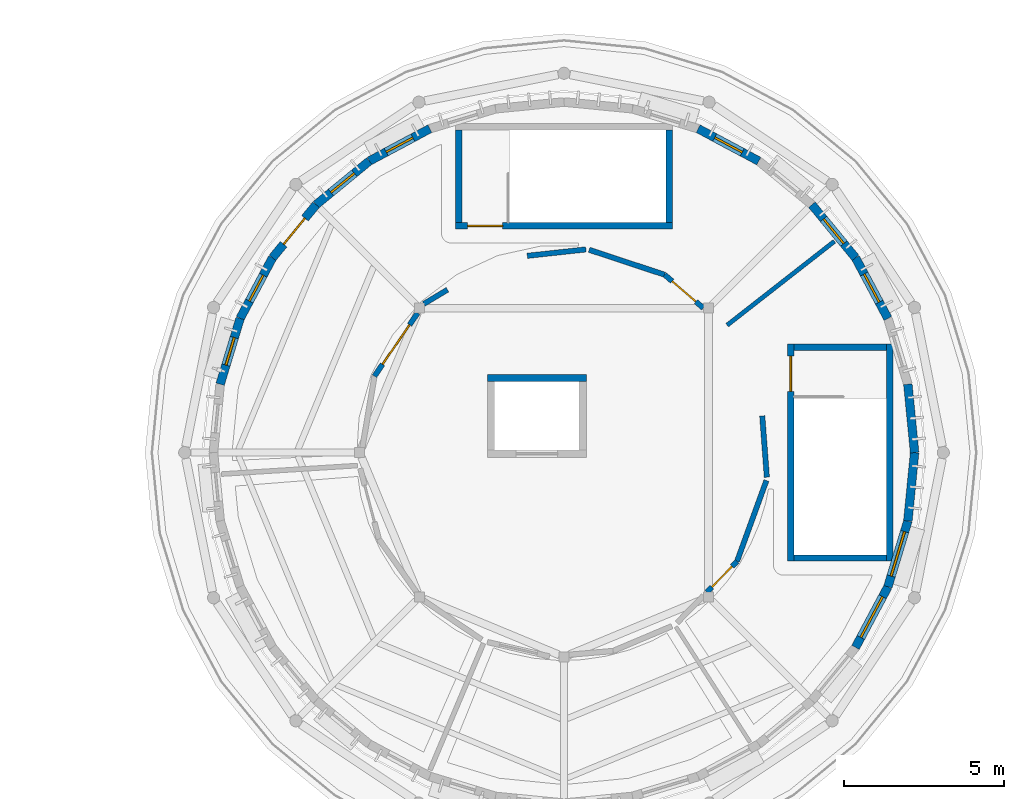
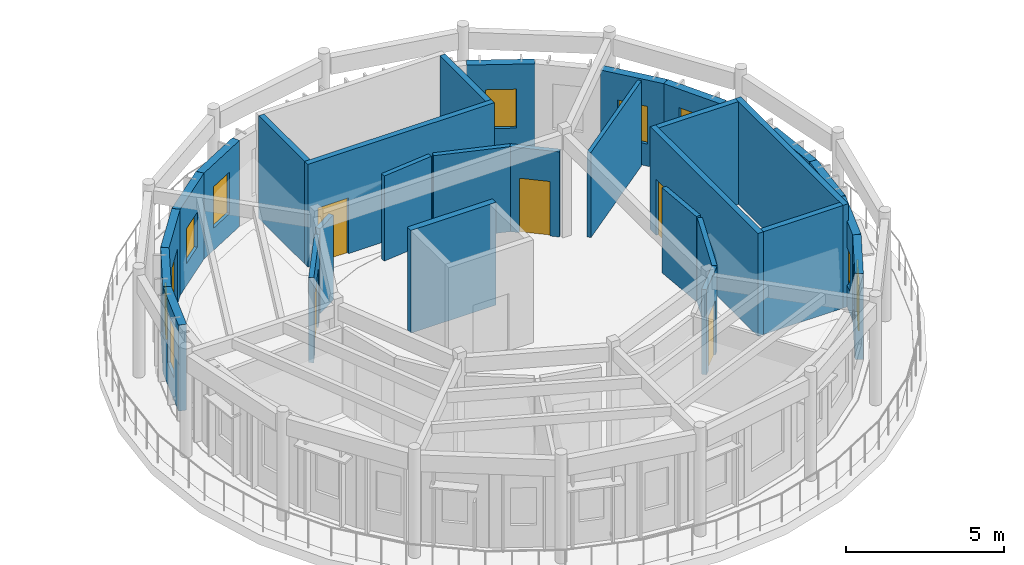
# One storey, part 25 of 37: 29 walls, 9 windows, 6 doors, 15 openings.
"""IFC4 building model written with IfcOpenShell, lengths in metres."""

from ifc_helpers import new_model, si_unit, direction, frame, frame_2d, origin, place, context, subcontext, project, spatial, rectangle, extrude, material, layer, layer_set, type_object, element, fill, save


model = new_model("IFC4")

# Units and contexts
model_context = context("Model", 3, precision=1e-05, world=origin(), true_north=direction((0.0, 1.0)))
body_context = subcontext(model_context, "Body", "Model", "MODEL_VIEW")
ifc_project = project(units=[si_unit("LENGTHUNIT", "METRE"), si_unit("AREAUNIT", "SQUARE_METRE"), si_unit("VOLUMEUNIT", "CUBIC_METRE"), si_unit("PLANEANGLEUNIT", "RADIAN"), si_unit("MASSUNIT", "GRAM", prefix="KILO")], contexts=[model_context])

# Site, building, storey
site_placement = place(None, origin())
site = spatial("IfcSite", under=ifc_project, at=site_placement, CompositionType="ELEMENT")
building_placement = place(site_placement, origin())
building = spatial("IfcBuilding", under=site, at=building_placement, Name="Aldenvaro Health Centre", CompositionType="ELEMENT")
storey_placement = place(building_placement, frame((0.0, 0.0, 12.949951171875)))
storey = spatial("IfcBuildingStorey", under=building, at=storey_placement, Name="L03", CompositionType="ELEMENT", Elevation=12.949951171875)

# Walls
ifc_material_1 = material(Name="Gypsum Stud Acoustic Assembly")
ifc_layer_1 = layer(ifc_material_1, 0.1650390625, Name="Gypsum Stud Acoustic Assembly")
ifc_layer_set_1 = layer_set([ifc_layer_1], Name="Gypsum Stud Acoustic Assembly")
wall_type_1 = type_object("IfcWallType", Name="WL-COR-165", PredefinedType="PARTITIONING", material=ifc_layer_set_1)
wall_1_placement = place(storey_placement, frame((155.18603515625, 105.863037109375, 0.0), z_axis=(0.0, 0.0, 1.0), x_axis=(-0.994121595033, -0.108269359885, 0.0)))
element("IfcWall", 1, at=wall_1_placement, inside=storey, type_object=wall_type_1, Name="D2 L03 corridor wall 01.1", PredefinedType="PARTITIONING", context=body_context, shape_type="SweptSolid", body=[
    extrude(rectangle(XDim=1.8466796875, YDim=0.1650390625, at=frame_2d((0.92333984375, 0.0))), origin(), (0.0, 0.0, 1.0), 3.279052734375),
])
wall_2_placement = place(storey_placement, frame((150.85009765625, 104.60107421875, 0.0), z_axis=(0.0, 0.0, 1.0), x_axis=(-0.857642888026, -0.514245735635, 0.0)))
element("IfcWall", 2, at=wall_2_placement, inside=storey, type_object=wall_type_1, Name="D2 L03 corridor wall 01.2", PredefinedType="PARTITIONING", context=body_context, shape_type="SweptSolid", body=[
    extrude(rectangle(XDim=0.861572265625, YDim=0.1650390625, at=frame_2d((0.4306640625, 0.0))), origin(), (0.0, 0.0, 1.0), 3.279052734375),
])

# Wall, opening, door
wall_3_placement = place(storey_placement, frame((149.9169921875, 103.873046875, 0.0), z_axis=(0.0, 0.0, 1.0), x_axis=(-0.564493885853, -0.825437249483, 0.0)))
wall_3 = element("IfcWall", 3, at=wall_3_placement, inside=storey, type_object=wall_type_1, Name="D2 L03 corridor wall 01.3", PredefinedType="PARTITIONING", context=body_context, shape_type="SweptSolid", body=[
    extrude(rectangle(XDim=2.395263671875, YDim=0.1650390625, at=frame_2d((1.19775390625, 0.0))), origin(), (0.0, 0.0, 1.0), 3.279052734375),
])
opening_1_placement = place(wall_3_placement, frame((0.447998046875, 0.0, 0.0)))
opening_1 = element("IfcOpeningElement", 4, at=opening_1_placement, cuts=wall_3, Name="Opening SD-01", PredefinedType="OPENING", context=body_context, shape_type="SweptSolid", body=[
    extrude(rectangle(XDim=1.5, YDim=2.300048828125, at=frame_2d((0.75, 1.14990234375))), frame((0.0, 0.092529296875, 0.0), z_axis=(0.0, -1.0, 0.0), x_axis=(1.0, 0.0, 0.0)), (0.0, 0.0, 1.0), 0.18505859375),
])
ifc_material_2 = material(Name="Hygienic Hermetic Theatre Door")
door_type_1 = type_object("IfcDoorType", Name="DR-SRG-150", OperationType="NOTDEFINED", PredefinedType="DOOR", material=ifc_material_2)
door_1_placement = place(opening_1_placement, origin())
door_1 = element("IfcDoor", 5, at=door_1_placement, inside=storey, type_object=door_type_1, Name="Phase 2 Step-Down Recovery Lounge Door", OperationType="SINGLE_SWING_LEFT", OverallHeight=2.300048828125, OverallWidth=1.5, PredefinedType="DOOR", context=body_context, shape_type="SweptSolid", body=[
    extrude(rectangle(XDim=1.5, YDim=2.300048828125, at=frame_2d((0.75, 1.14990234375))), frame((0.0, 0.02490234375, 0.0), z_axis=(0.0, -1.0, 0.0), x_axis=(1.0, 0.0, 0.0)), (0.0, 0.0, 1.0), 0.050048828125),
])
fill(opening_1, door_1)

wall_4_placement = place(storey_placement, frame((158.97802734375, 95.131103515625, 0.0), z_axis=(0.0, 0.0, 1.0), x_axis=(0.698536724788, 0.715574205881, 0.0)))
wall_4 = element("IfcWall", 6, at=wall_4_placement, inside=storey, type_object=wall_type_1, Name="D2 L03 corridor wall 04.2", PredefinedType="PARTITIONING", context=body_context, shape_type="SweptSolid", body=[
    extrude(rectangle(XDim=1.346923828125, YDim=0.1650390625, at=frame_2d((0.67333984375, 0.0))), origin(), (0.0, 0.0, 1.0), 3.279052734375),
])
opening_2_placement = place(wall_4_placement, frame((0.222900390625, 0.0, 0.0)))
opening_2 = element("IfcOpeningElement", 7, at=opening_2_placement, cuts=wall_4, Name="Opening WD-01", PredefinedType="OPENING", context=body_context, shape_type="SweptSolid", body=[
    extrude(rectangle(XDim=0.89990234375, YDim=2.10009765625, at=frame_2d((0.449951171875, 1.050048828125))), frame((0.0, 0.092529296875, 0.0), z_axis=(0.0, -1.0, 0.0), x_axis=(1.0, 0.0, 0.0)), (0.0, 0.0, 1.0), 0.18505859375),
])
ifc_material_3 = material(Name="Moisture-Resistant Laminate Door")
door_type_2 = type_object("IfcDoorType", Name="DR-WC-01", OperationType="NOTDEFINED", PredefinedType="DOOR", material=ifc_material_3)
door_2_placement = place(opening_2_placement, origin())
door_2 = element("IfcDoor", 8, at=door_2_placement, inside=storey, type_object=door_type_2, Name="Recovery Linen Store Door", OperationType="SINGLE_SWING_RIGHT", OverallHeight=2.10009765625, OverallWidth=0.89990234375, PredefinedType="DOOR", context=body_context, shape_type="SweptSolid", body=[
    extrude(rectangle(XDim=0.89990234375, YDim=2.10009765625, at=frame_2d((0.449951171875, 1.050048828125))), frame((0.0, 0.02490234375, 0.0), z_axis=(0.0, -1.0, 0.0), x_axis=(1.0, 0.0, 0.0)), (0.0, 0.0, 1.0), 0.050048828125),
])
fill(opening_2, door_2)

# Walls
wall_5_placement = place(storey_placement, frame((159.9189453125, 96.094970703125, 0.0), z_axis=(0.0, 0.0, 1.0), x_axis=(0.341997778508, 0.939700760612, 0.0)))
element("IfcWall", 9, at=wall_5_placement, inside=storey, type_object=wall_type_1, Name="D2 L03 corridor wall 04.3", PredefinedType="PARTITIONING", context=body_context, shape_type="SweptSolid", body=[
    extrude(rectangle(XDim=2.693359375, YDim=0.1650390625, at=frame_2d((1.3466796875, 0.0))), origin(), (0.0, 0.0, 1.0), 3.279052734375),
])
wall_6_placement = place(storey_placement, frame((160.85302734375, 98.72900390625, 0.0), z_axis=(0.0, 0.0, 1.0), x_axis=(-0.074777345003, 0.997200255051, 0.0)))
element("IfcWall", 10, at=wall_6_placement, inside=storey, type_object=wall_type_1, Name="D2 L03 corridor wall 05.1", PredefinedType="PARTITIONING", context=body_context, shape_type="SweptSolid", body=[
    extrude(rectangle(XDim=1.92626953125, YDim=0.1650390625, at=frame_2d((0.963134765625, 0.0))), origin(), (0.0, 0.0, 1.0), 3.279052734375),
])

# Wall, opening, door
wall_7_placement = place(storey_placement, frame((158.863037109375, 104.028076171875, 0.0), z_axis=(0.0, 0.0, 1.0), x_axis=(-0.758003845194, 0.652250082921, 0.0)))
wall_7 = element("IfcWall", 11, at=wall_7_placement, inside=storey, type_object=wall_type_1, Name="D2 L03 corridor wall 06.1", PredefinedType="PARTITIONING", context=body_context, shape_type="SweptSolid", body=[
    extrude(rectangle(XDim=1.59765625, YDim=0.1650390625, at=frame_2d((0.798828125, 0.0))), origin(), (0.0, 0.0, 1.0), 3.279052734375),
])
opening_3_placement = place(wall_7_placement, frame((0.30908203125, 0.0, 0.0)))
opening_3 = element("IfcOpeningElement", 12, at=opening_3_placement, cuts=wall_7, Name="Opening WD-03", PredefinedType="OPENING", context=body_context, shape_type="SweptSolid", body=[
    extrude(rectangle(XDim=0.97998046875, YDim=2.10009765625, at=frame_2d((0.489990234375, 1.050048828125))), frame((0.0, 0.092529296875, 0.0), z_axis=(0.0, -1.0, 0.0), x_axis=(1.0, 0.0, 0.0)), (0.0, 0.0, 1.0), 0.18505859375),
])
ifc_material_4 = material(Name="Bariatric Accessible Sanitary Door")
door_type_3 = type_object("IfcDoorType", Name="DR-WC-03", OperationType="NOTDEFINED", PredefinedType="DOOR", material=ifc_material_4)
door_3_placement = place(opening_3_placement, origin())
door_3 = element("IfcDoor", 13, at=door_3_placement, inside=storey, type_object=door_type_3, Name="Female Recovery WC Door", OperationType="SINGLE_SWING_LEFT", OverallHeight=2.10009765625, OverallWidth=0.97998046875, PredefinedType="DOOR", context=body_context, shape_type="SweptSolid", body=[
    extrude(rectangle(XDim=0.97998046875, YDim=2.10009765625, at=frame_2d((0.489990234375, 1.050048828125))), frame((0.0, 0.02490234375, 0.0), z_axis=(0.0, -1.0, 0.0), x_axis=(1.0, 0.0, 0.0)), (0.0, 0.0, 1.0), 0.050048828125),
])
fill(opening_3, door_3)

# Wall
wall_8_placement = place(storey_placement, frame((157.652099609375, 105.070068359375, 0.0), z_axis=(0.0, 0.0, 1.0), x_axis=(-0.949484627373, 0.313813547161, 0.0)))
element("IfcWall", 14, at=wall_8_placement, inside=storey, type_object=wall_type_1, Name="D2 L03 corridor wall 06.2", PredefinedType="PARTITIONING", context=body_context, shape_type="SweptSolid", body=[
    extrude(rectangle(XDim=2.48876953125, YDim=0.1650390625, at=frame_2d((1.244384765625, 0.0))), origin(), (0.0, 0.0, 1.0), 3.279052734375),
])

# Wall, opening, window
ifc_material_5 = material(Name="Cross-laminated timber CLT E1", Category="wood")
ifc_layer_2 = layer(ifc_material_5, 0.27001953125, Name="Cross-laminated timber CLT E1", Category="wood")
ifc_layer_set_2 = layer_set([ifc_layer_2], Name="Cross-laminated timber CLT E1")
wall_type_2 = type_object("IfcWallType", Name="WL-EXT-270", PredefinedType="ELEMENTEDWALL", material=ifc_layer_set_2)
wall_9_placement = place(storey_placement, frame((165.26904296875, 97.35791015625, 0.0), z_axis=(0.0, 0.0, 1.0), x_axis=(-0.290353644083, -0.95691941216, 0.0)))
wall_9 = element("IfcWall", 15, at=wall_9_placement, inside=storey, type_object=wall_type_2, Name="D2 L03 exterior wall 01", PredefinedType="ELEMENTEDWALL", context=body_context, shape_type="SweptSolid", body=[
    extrude(rectangle(XDim=2.152587890625, YDim=0.27001953125, at=frame_2d((1.076171875, 0.0))), origin(), (0.0, 0.0, 1.0), 3.31396484375),
])
opening_4_placement = place(wall_9_placement, frame((0.35107421875, 0.0, 0.85009765625)))
opening_4 = element("IfcOpeningElement", 16, at=opening_4_placement, cuts=wall_9, Name="Opening W-59", PredefinedType="OPENING", context=body_context, shape_type="SweptSolid", body=[
    extrude(rectangle(XDim=1.449951171875, YDim=1.449951171875, at=frame_2d((0.72509765625, 0.72509765625))), frame((0.0, 0.14501953125, 0.0), z_axis=(0.0, -1.0, 0.0), x_axis=(1.0, 0.0, 0.0)), (0.0, 0.0, 1.0), 0.2900390625),
])
ifc_material_6 = material(Name="Thermally Broken Aluminium Low-E Glass", Category="aluminium")
window_type_1 = type_object("IfcWindowType", Name="WN-EXT-59", PartitioningType="SINGLE_PANEL", PredefinedType="WINDOW", material=ifc_material_6)
window_1_placement = place(opening_4_placement, origin())
window_1 = element("IfcWindow", 17, at=window_1_placement, inside=storey, type_object=window_type_1, Name="D2 L03 clinical window 01", OverallHeight=1.449951171875, OverallWidth=1.449951171875, PartitioningType="SINGLE_PANEL", PredefinedType="WINDOW", context=body_context, shape_type="SweptSolid", body=[
    extrude(rectangle(XDim=1.449951171875, YDim=1.449951171875, at=frame_2d((0.72509765625, 0.72509765625))), frame((0.0, 0.030029296875, 0.0), z_axis=(0.0, -1.0, 0.0), x_axis=(1.0, 0.0, 0.0)), (0.0, 0.0, 1.0), 0.06005859375),
])
fill(opening_4, window_1)

wall_10_placement = place(storey_placement, frame((164.64404296875, 95.298095703125, 0.0), z_axis=(0.0, 0.0, 1.0), x_axis=(-0.471235784617, -0.882007276215, 0.0)))
wall_10 = element("IfcWall", 18, at=wall_10_placement, inside=storey, type_object=wall_type_2, Name="D2 L03 exterior wall 02", PredefinedType="ELEMENTEDWALL", context=body_context, shape_type="SweptSolid", body=[
    extrude(rectangle(XDim=2.152099609375, YDim=0.27001953125, at=frame_2d((1.076171875, 0.0))), origin(), (0.0, 0.0, 1.0), 3.31396484375),
])
opening_5_placement = place(wall_10_placement, frame((0.35107421875, 0.0, 0.85009765625)))
opening_5 = element("IfcOpeningElement", 19, at=opening_5_placement, cuts=wall_10, Name="Opening W-60", PredefinedType="OPENING", context=body_context, shape_type="SweptSolid", body=[
    extrude(rectangle(XDim=1.449951171875, YDim=1.75, at=frame_2d((0.72509765625, 0.875))), frame((0.0, 0.14501953125, 0.0), z_axis=(0.0, -1.0, 0.0), x_axis=(1.0, 0.0, 0.0)), (0.0, 0.0, 1.0), 0.2900390625),
])
window_type_2 = type_object("IfcWindowType", Name="WN-EXT-60", PartitioningType="SINGLE_PANEL", PredefinedType="WINDOW", material=ifc_material_6)
window_2_placement = place(opening_5_placement, origin())
window_2 = element("IfcWindow", 20, at=window_2_placement, inside=storey, type_object=window_type_2, Name="D2 L03 clinical window 02", OverallHeight=1.75, OverallWidth=1.449951171875, PartitioningType="SINGLE_PANEL", PredefinedType="WINDOW", context=body_context, shape_type="SweptSolid", body=[
    extrude(rectangle(XDim=1.449951171875, YDim=1.75, at=frame_2d((0.72509765625, 0.875))), frame((0.0, 0.030029296875, 0.0), z_axis=(0.0, -1.0, 0.0), x_axis=(1.0, 0.0, 0.0)), (0.0, 0.0, 1.0), 0.06005859375),
])
fill(opening_5, window_2)

wall_11_placement = place(storey_placement, frame((143.73095703125, 101.64208984375, 0.0), z_axis=(0.0, 0.0, 1.0), x_axis=(0.290353644083, 0.95691941216, 0.0)))
wall_11 = element("IfcWall", 21, at=wall_11_placement, inside=storey, type_object=wall_type_2, Name="D2 L03 exterior wall 17", PredefinedType="ELEMENTEDWALL", context=body_context, shape_type="SweptSolid", body=[
    extrude(rectangle(XDim=2.152587890625, YDim=0.27001953125, at=frame_2d((1.076171875, 0.0))), origin(), (0.0, 0.0, 1.0), 3.31396484375),
])
opening_6_placement = place(wall_11_placement, frame((0.6259765625, 0.0, 0.85009765625)))
opening_6 = element("IfcOpeningElement", 22, at=opening_6_placement, cuts=wall_11, Name="Opening W-07", PredefinedType="OPENING", context=body_context, shape_type="SweptSolid", body=[
    extrude(rectangle(XDim=0.89990234375, YDim=1.89990234375, at=frame_2d((0.449951171875, 0.949951171875))), frame((0.0, 0.14501953125, 0.0), z_axis=(0.0, -1.0, 0.0), x_axis=(1.0, 0.0, 0.0)), (0.0, 0.0, 1.0), 0.2900390625),
])
window_type_3 = type_object("IfcWindowType", Name="WN-EXT-07", PartitioningType="SINGLE_PANEL", PredefinedType="WINDOW", material=ifc_material_6)
window_3_placement = place(opening_6_placement, origin())
window_3 = element("IfcWindow", 23, at=window_3_placement, inside=storey, type_object=window_type_3, Name="D2 L03 clinical window 17", OverallHeight=1.89990234375, OverallWidth=0.89990234375, PartitioningType="SINGLE_PANEL", PredefinedType="WINDOW", context=body_context, shape_type="SweptSolid", body=[
    extrude(rectangle(XDim=0.89990234375, YDim=1.89990234375, at=frame_2d((0.449951171875, 0.949951171875))), frame((0.0, 0.030029296875, 0.0), z_axis=(0.0, -1.0, 0.0), x_axis=(1.0, 0.0, 0.0)), (0.0, 0.0, 1.0), 0.06005859375),
])
fill(opening_6, window_3)

wall_12_placement = place(storey_placement, frame((144.35595703125, 103.701904296875, 0.0), z_axis=(0.0, 0.0, 1.0), x_axis=(0.471235784617, 0.882007276215, 0.0)))
wall_12 = element("IfcWall", 24, at=wall_12_placement, inside=storey, type_object=wall_type_2, Name="D2 L03 exterior wall 18", PredefinedType="ELEMENTEDWALL", context=body_context, shape_type="SweptSolid", body=[
    extrude(rectangle(XDim=2.152099609375, YDim=0.27001953125, at=frame_2d((1.076171875, 0.0))), origin(), (0.0, 0.0, 1.0), 3.31396484375),
])
opening_7_placement = place(wall_12_placement, frame((0.615966796875, 0.0, 0.85009765625)))
opening_7 = element("IfcOpeningElement", 25, at=opening_7_placement, cuts=wall_12, Name="Opening W-08", PredefinedType="OPENING", context=body_context, shape_type="SweptSolid", body=[
    extrude(rectangle(XDim=0.919921875, YDim=1.550048828125, at=frame_2d((0.4599609375, 0.77490234375))), frame((0.0, 0.14501953125, 0.0), z_axis=(0.0, -1.0, 0.0), x_axis=(1.0, 0.0, 0.0)), (0.0, 0.0, 1.0), 0.2900390625),
])
window_type_4 = type_object("IfcWindowType", Name="WN-EXT-08", PartitioningType="SINGLE_PANEL", PredefinedType="WINDOW", material=ifc_material_6)
window_4_placement = place(opening_7_placement, origin())
window_4 = element("IfcWindow", 26, at=window_4_placement, inside=storey, type_object=window_type_4, Name="D2 L03 clinical window 18", OverallHeight=1.550048828125, OverallWidth=0.919921875, PartitioningType="SINGLE_PANEL", PredefinedType="WINDOW", context=body_context, shape_type="SweptSolid", body=[
    extrude(rectangle(XDim=0.919921875, YDim=1.550048828125, at=frame_2d((0.4599609375, 0.77490234375))), frame((0.0, 0.030029296875, 0.0), z_axis=(0.0, -1.0, 0.0), x_axis=(1.0, 0.0, 0.0)), (0.0, 0.0, 1.0), 0.06005859375),
])
fill(opening_7, window_4)

# Wall, opening, door
wall_13_placement = place(storey_placement, frame((145.3701171875, 105.60009765625, 0.0), z_axis=(0.0, 0.0, 1.0), x_axis=(0.634533827498, 0.772895091045, 0.0)))
wall_13 = element("IfcWall", 27, at=wall_13_placement, inside=storey, type_object=wall_type_2, Name="D2 L03 exterior wall 19", PredefinedType="ELEMENTEDWALL", context=body_context, shape_type="SweptSolid", body=[
    extrude(rectangle(XDim=2.152587890625, YDim=0.27001953125, at=frame_2d((1.076171875, 0.0))), origin(), (0.0, 0.0, 1.0), 3.31396484375),
])
opening_8_placement = place(wall_13_placement, frame((0.551025390625, 0.0, 0.0)))
opening_8 = element("IfcOpeningElement", 28, at=opening_8_placement, cuts=wall_13, Name="Opening TD-02", PredefinedType="OPENING", context=body_context, shape_type="SweptSolid", body=[
    extrude(rectangle(XDim=1.050048828125, YDim=2.14990234375, at=frame_2d((0.52490234375, 1.074951171875))), frame((0.0, 0.14501953125, 0.0), z_axis=(0.0, -1.0, 0.0), x_axis=(1.0, 0.0, 0.0)), (0.0, 0.0, 1.0), 0.2900390625),
])
ifc_material_7 = material(Name="Thermally Broken Glazed Aluminium", Category="aluminium")
door_type_4 = type_object("IfcDoorType", Name="DR-TER-105", OperationType="NOTDEFINED", PredefinedType="DOOR", material=ifc_material_7)
door_4_placement = place(opening_8_placement, origin())
door_4 = element("IfcDoor", 29, at=door_4_placement, inside=storey, type_object=door_type_4, Name="D2 L03 Belvedere Terrace Door 19", OperationType="SINGLE_SWING_RIGHT", OverallHeight=2.14990234375, OverallWidth=1.050048828125, PredefinedType="DOOR", context=body_context, shape_type="SweptSolid", body=[
    extrude(rectangle(XDim=1.050048828125, YDim=2.14990234375, at=frame_2d((0.52490234375, 1.074951171875))), frame((0.0, 0.02490234375, 0.0), z_axis=(0.0, -1.0, 0.0), x_axis=(1.0, 0.0, 0.0)), (0.0, 0.0, 1.0), 0.050048828125),
])
fill(opening_8, door_4)

# Wall, opening, window
wall_14_placement = place(storey_placement, frame((146.736083984375, 107.263916015625, 0.0), z_axis=(0.0, 0.0, 1.0), x_axis=(0.772895091045, 0.634533827498, 0.0)))
wall_14 = element("IfcWall", 30, at=wall_14_placement, inside=storey, type_object=wall_type_2, Name="D2 L03 exterior wall 20", PredefinedType="ELEMENTEDWALL", context=body_context, shape_type="SweptSolid", body=[
    extrude(rectangle(XDim=2.152587890625, YDim=0.27001953125, at=frame_2d((1.076171875, 0.0))), origin(), (0.0, 0.0, 1.0), 3.31396484375),
])
opening_9_placement = place(wall_14_placement, frame((0.60107421875, 0.0, 0.85009765625)))
opening_9 = element("IfcOpeningElement", 31, at=opening_9_placement, cuts=wall_14, Name="Opening W-09", PredefinedType="OPENING", context=body_context, shape_type="SweptSolid", body=[
    extrude(rectangle(XDim=0.949951171875, YDim=1.35009765625, at=frame_2d((0.47509765625, 0.675048828125))), frame((0.0, 0.14501953125, 0.0), z_axis=(0.0, -1.0, 0.0), x_axis=(1.0, 0.0, 0.0)), (0.0, 0.0, 1.0), 0.2900390625),
])
window_type_5 = type_object("IfcWindowType", Name="WN-EXT-09", PartitioningType="SINGLE_PANEL", PredefinedType="WINDOW", material=ifc_material_6)
window_5_placement = place(opening_9_placement, origin())
window_5 = element("IfcWindow", 32, at=window_5_placement, inside=storey, type_object=window_type_5, Name="D2 L03 clinical window 20", OverallHeight=1.35009765625, OverallWidth=0.949951171875, PartitioningType="SINGLE_PANEL", PredefinedType="WINDOW", context=body_context, shape_type="SweptSolid", body=[
    extrude(rectangle(XDim=0.949951171875, YDim=1.35009765625, at=frame_2d((0.47509765625, 0.675048828125))), frame((0.0, 0.030029296875, 0.0), z_axis=(0.0, -1.0, 0.0), x_axis=(1.0, 0.0, 0.0)), (0.0, 0.0, 1.0), 0.06005859375),
])
fill(opening_9, window_5)

wall_15_placement = place(storey_placement, frame((148.39990234375, 108.6298828125, 0.0), z_axis=(0.0, 0.0, 1.0), x_axis=(0.882007276215, 0.471235784617, 0.0)))
wall_15 = element("IfcWall", 33, at=wall_15_placement, inside=storey, type_object=wall_type_2, Name="D2 L03 exterior wall 21", PredefinedType="ELEMENTEDWALL", context=body_context, shape_type="SweptSolid", body=[
    extrude(rectangle(XDim=2.152099609375, YDim=0.27001953125, at=frame_2d((1.076171875, 0.0))), origin(), (0.0, 0.0, 1.0), 3.31396484375),
])
opening_10_placement = place(wall_15_placement, frame((0.60107421875, 0.0, 0.85009765625)))
opening_10 = element("IfcOpeningElement", 34, at=opening_10_placement, cuts=wall_15, Name="Opening W-10", PredefinedType="OPENING", context=body_context, shape_type="SweptSolid", body=[
    extrude(rectangle(XDim=0.949951171875, YDim=1.60009765625, at=frame_2d((0.47509765625, 0.800048828125))), frame((0.0, 0.14501953125, 0.0), z_axis=(0.0, -1.0, 0.0), x_axis=(1.0, 0.0, 0.0)), (0.0, 0.0, 1.0), 0.2900390625),
])
window_type_6 = type_object("IfcWindowType", Name="WN-EXT-10", PartitioningType="SINGLE_PANEL", PredefinedType="WINDOW", material=ifc_material_6)
window_6_placement = place(opening_10_placement, origin())
window_6 = element("IfcWindow", 35, at=window_6_placement, inside=storey, type_object=window_type_6, Name="D2 L03 clinical window 21", OverallHeight=1.60009765625, OverallWidth=0.949951171875, PartitioningType="SINGLE_PANEL", PredefinedType="WINDOW", context=body_context, shape_type="SweptSolid", body=[
    extrude(rectangle(XDim=0.949951171875, YDim=1.60009765625, at=frame_2d((0.47509765625, 0.800048828125))), frame((0.0, 0.030029296875, 0.0), z_axis=(0.0, -1.0, 0.0), x_axis=(1.0, 0.0, 0.0)), (0.0, 0.0, 1.0), 0.06005859375),
])
fill(opening_10, window_6)

wall_16_placement = place(storey_placement, frame((158.701904296875, 109.64404296875, 0.0), z_axis=(0.0, 0.0, 1.0), x_axis=(0.882007276215, -0.471235784617, 0.0)))
wall_16 = element("IfcWall", 36, at=wall_16_placement, inside=storey, type_object=wall_type_2, Name="D2 L03 exterior wall 26", PredefinedType="ELEMENTEDWALL", context=body_context, shape_type="SweptSolid", body=[
    extrude(rectangle(XDim=2.152099609375, YDim=0.27001953125, at=frame_2d((1.076171875, 0.0))), origin(), (0.0, 0.0, 1.0), 3.31396484375),
])
opening_11_placement = place(wall_16_placement, frame((0.5859375, 0.0, 0.85009765625)))
opening_11 = element("IfcOpeningElement", 37, at=opening_11_placement, cuts=wall_16, Name="Opening W-13", PredefinedType="OPENING", context=body_context, shape_type="SweptSolid", body=[
    extrude(rectangle(XDim=0.97998046875, YDim=1.5, at=frame_2d((0.489990234375, 0.75))), frame((0.0, 0.14501953125, 0.0), z_axis=(0.0, -1.0, 0.0), x_axis=(1.0, 0.0, 0.0)), (0.0, 0.0, 1.0), 0.2900390625),
])
window_type_7 = type_object("IfcWindowType", Name="WN-EXT-13", PartitioningType="SINGLE_PANEL", PredefinedType="WINDOW", material=ifc_material_6)
window_7_placement = place(opening_11_placement, origin())
window_7 = element("IfcWindow", 38, at=window_7_placement, inside=storey, type_object=window_type_7, Name="D2 L03 clinical window 26", OverallHeight=1.5, OverallWidth=0.97998046875, PartitioningType="SINGLE_PANEL", PredefinedType="WINDOW", context=body_context, shape_type="SweptSolid", body=[
    extrude(rectangle(XDim=0.97998046875, YDim=1.5, at=frame_2d((0.489990234375, 0.75))), frame((0.0, 0.030029296875, 0.0), z_axis=(0.0, -1.0, 0.0), x_axis=(1.0, 0.0, 0.0)), (0.0, 0.0, 1.0), 0.06005859375),
])
fill(opening_11, window_7)

wall_17_placement = place(storey_placement, frame((162.263916015625, 107.263916015625, 0.0), z_axis=(0.0, 0.0, 1.0), x_axis=(0.634533827498, -0.772895091045, 0.0)))
wall_17 = element("IfcWall", 39, at=wall_17_placement, inside=storey, type_object=wall_type_2, Name="D2 L03 exterior wall 28", PredefinedType="ELEMENTEDWALL", context=body_context, shape_type="SweptSolid", body=[
    extrude(rectangle(XDim=2.152587890625, YDim=0.27001953125, at=frame_2d((1.076171875, 0.0))), origin(), (0.0, 0.0, 1.0), 3.31396484375),
])
opening_12_placement = place(wall_17_placement, frame((0.575927734375, 0.0, 0.85009765625)))
opening_12 = element("IfcOpeningElement", 40, at=opening_12_placement, cuts=wall_17, Name="Opening W-15", PredefinedType="OPENING", context=body_context, shape_type="SweptSolid", body=[
    extrude(rectangle(XDim=1.0, YDim=1.449951171875, at=frame_2d((0.5, 0.72509765625))), frame((0.0, 0.14501953125, 0.0), z_axis=(0.0, -1.0, 0.0), x_axis=(1.0, 0.0, 0.0)), (0.0, 0.0, 1.0), 0.2900390625),
])
window_type_8 = type_object("IfcWindowType", Name="WN-EXT-15", PartitioningType="SINGLE_PANEL", PredefinedType="WINDOW", material=ifc_material_6)
window_8_placement = place(opening_12_placement, origin())
window_8 = element("IfcWindow", 41, at=window_8_placement, inside=storey, type_object=window_type_8, Name="D2 L03 clinical window 28", OverallHeight=1.449951171875, OverallWidth=1.0, PartitioningType="SINGLE_PANEL", PredefinedType="WINDOW", context=body_context, shape_type="SweptSolid", body=[
    extrude(rectangle(XDim=1.0, YDim=1.449951171875, at=frame_2d((0.5, 0.72509765625))), frame((0.0, 0.030029296875, 0.0), z_axis=(0.0, -1.0, 0.0), x_axis=(1.0, 0.0, 0.0)), (0.0, 0.0, 1.0), 0.06005859375),
])
fill(opening_12, window_8)

wall_18_placement = place(storey_placement, frame((163.6298828125, 105.60009765625, 0.0), z_axis=(0.0, 0.0, 1.0), x_axis=(0.471235784617, -0.882007276215, 0.0)))
wall_18 = element("IfcWall", 42, at=wall_18_placement, inside=storey, type_object=wall_type_2, Name="D2 L03 exterior wall 29", PredefinedType="ELEMENTEDWALL", context=body_context, shape_type="SweptSolid", body=[
    extrude(rectangle(XDim=2.152099609375, YDim=0.27001953125, at=frame_2d((1.076171875, 0.0))), origin(), (0.0, 0.0, 1.0), 3.31396484375),
])
opening_13_placement = place(wall_18_placement, frame((0.575927734375, 0.0, 0.85009765625)))
opening_13 = element("IfcOpeningElement", 43, at=opening_13_placement, cuts=wall_18, Name="Opening W-16", PredefinedType="OPENING", context=body_context, shape_type="SweptSolid", body=[
    extrude(rectangle(XDim=1.0, YDim=1.75, at=frame_2d((0.5, 0.875))), frame((0.0, 0.14501953125, 0.0), z_axis=(0.0, -1.0, 0.0), x_axis=(1.0, 0.0, 0.0)), (0.0, 0.0, 1.0), 0.2900390625),
])
window_type_9 = type_object("IfcWindowType", Name="WN-EXT-16", PartitioningType="SINGLE_PANEL", PredefinedType="WINDOW", material=ifc_material_6)
window_9_placement = place(opening_13_placement, origin())
window_9 = element("IfcWindow", 44, at=window_9_placement, inside=storey, type_object=window_type_9, Name="D2 L03 clinical window 29", OverallHeight=1.75, OverallWidth=1.0, PartitioningType="SINGLE_PANEL", PredefinedType="WINDOW", context=body_context, shape_type="SweptSolid", body=[
    extrude(rectangle(XDim=1.0, YDim=1.75, at=frame_2d((0.5, 0.875))), frame((0.0, 0.030029296875, 0.0), z_axis=(0.0, -1.0, 0.0), x_axis=(1.0, 0.0, 0.0)), (0.0, 0.0, 1.0), 0.06005859375),
])
fill(opening_13, window_9)

# Walls
for number, where, z_axis, x_axis, name in (
    (45, (165.26904296875, 101.64208984375, 0.0), (0.0, 0.0, 1.0), (0.097998765368, -0.995186536277, 0.0), "D2 L03 exterior wall 31"),
    (46, (165.47998046875, 99.5, 0.0), (0.0, 0.0, 1.0), (-0.097998765368, -0.995186536277, 0.0), "D2 L03 exterior wall 32"),
):
    element("IfcWall", number, at=place(storey_placement, frame(where, z_axis=z_axis, x_axis=x_axis)), inside=storey, type_object=wall_type_2, Name=name, PredefinedType="ELEMENTEDWALL", context=body_context, shape_type="SweptSolid", body=[
        extrude(rectangle(XDim=2.15234375, YDim=0.27001953125, at=frame_2d((1.076171875, 0.0))), origin(), (0.0, 0.0, 1.0), 3.31396484375),
    ])

# Wall, opening, door
ifc_material_8 = material(Name="Concrete f'c 40 MPa", Category="concrete")
ifc_layer_3 = layer(ifc_material_8, 0.199951171875, Name="Concrete f'c 40 MPa", Category="concrete")
ifc_layer_set_3 = layer_set([ifc_layer_3], Name="Concrete f'c 40 MPa")
wall_type_3 = type_object("IfcWallType", Name="WL-SHAFT-200", PredefinedType="SHEAR", material=ifc_layer_set_3)
wall_19_placement = place(storey_placement, frame((161.60009765625, 102.89990234375, 0.0), z_axis=(0.0, 0.0, 1.0), x_axis=(0.0, -1.0, 0.0)))
wall_19 = element("IfcWall", 47, at=wall_19_placement, inside=storey, type_object=wall_type_3, Name="ST-03 L03 inner core wall", PredefinedType="SHEAR", context=body_context, shape_type="SweptSolid", body=[
    extrude(rectangle(XDim=6.7998046875, YDim=0.199951171875, at=frame_2d((3.39990234375, 0.0))), origin(), (0.0, 0.0, 1.0), 3.9599609375),
])
opening_14_placement = place(wall_19_placement, frame((0.3798828125, 0.0, 0.0)))
opening_14 = element("IfcOpeningElement", 48, at=opening_14_placement, cuts=wall_19, Name="Opening FD-01", PredefinedType="OPENING", context=body_context, shape_type="SweptSolid", body=[
    extrude(rectangle(XDim=1.10009765625, YDim=2.14990234375, at=frame_2d((0.550048828125, 1.074951171875))), frame((0.0, 0.10986328125, 0.0), z_axis=(0.0, -1.0, 0.0), x_axis=(1.0, 0.0, 0.0)), (0.0, 0.0, 1.0), 0.219970703125),
])
ifc_material_9 = material(Name="Fire-Rated Steel Door Assembly", Category="steel")
door_type_5 = type_object("IfcDoorType", Name="DR-STAIR-110", OperationType="NOTDEFINED", PredefinedType="DOOR", material=ifc_material_9)
door_5_placement = place(opening_14_placement, origin())
door_5 = element("IfcDoor", 49, at=door_5_placement, inside=storey, type_object=door_type_5, Name="ST-03 L03 fire stair door", OperationType="SINGLE_SWING_LEFT", OverallHeight=2.14990234375, OverallWidth=1.10009765625, PredefinedType="DOOR", context=body_context, shape_type="SweptSolid", body=[
    extrude(rectangle(XDim=1.10009765625, YDim=2.14990234375, at=frame_2d((0.550048828125, 1.074951171875))), frame((0.0, 0.02490234375, 0.0), z_axis=(0.0, -1.0, 0.0), x_axis=(1.0, 0.0, 0.0)), (0.0, 0.0, 1.0), 0.050048828125),
])
fill(opening_14, door_5)

# Walls
wall_20_placement = place(storey_placement, frame((164.699951171875, 102.89990234375, 0.0), z_axis=(0.0, 0.0, 1.0), x_axis=(0.0, -1.0, 0.0)))
element("IfcWall", 50, at=wall_20_placement, inside=storey, type_object=wall_type_3, Name="ST-03 L03 core wall OUT", PredefinedType="SHEAR", context=body_context, shape_type="SweptSolid", body=[
    extrude(rectangle(XDim=6.7998046875, YDim=0.199951171875, at=frame_2d((3.39990234375, 0.0))), origin(), (0.0, 0.0, 1.0), 3.9599609375),
])
for number, where, z_axis, x_axis, name in (
    (51, (161.699951171875, 102.800048828125, 0.0), (0.0, 0.0, 1.0), (1.0, 0.0, 0.0), "ST-03 L03 core wall L"),
    (52, (161.699951171875, 96.199951171875, 0.0), (0.0, 0.0, 1.0), (1.0, 0.0, 0.0), "ST-03 L03 core wall R"),
):
    element("IfcWall", number, at=place(storey_placement, frame(where, z_axis=z_axis, x_axis=x_axis)), inside=storey, type_object=wall_type_3, Name=name, PredefinedType="SHEAR", context=body_context, shape_type="SweptSolid", body=[
        extrude(rectangle(XDim=2.900146484375, YDim=0.199951171875, at=frame_2d((1.4501953125, 0.0))), origin(), (0.0, 0.0, 1.0), 3.9599609375),
    ])

# Wall, opening, door
wall_21_placement = place(storey_placement, frame((151.10009765625, 106.60009765625, 0.0), z_axis=(0.0, 0.0, 1.0), x_axis=(1.0, 0.0, 0.0)))
wall_21 = element("IfcWall", 53, at=wall_21_placement, inside=storey, type_object=wall_type_3, Name="ST-04 L03 inner core wall", PredefinedType="SHEAR", context=body_context, shape_type="SweptSolid", body=[
    extrude(rectangle(XDim=6.7998046875, YDim=0.199951171875, at=frame_2d((3.39990234375, 0.0))), origin(), (0.0, 0.0, 1.0), 3.9599609375),
])
opening_15_placement = place(wall_21_placement, frame((0.3798828125, 0.0, 0.0)))
opening_15 = element("IfcOpeningElement", 54, at=opening_15_placement, cuts=wall_21, Name="Opening FD-01", PredefinedType="OPENING", context=body_context, shape_type="SweptSolid", body=[
    extrude(rectangle(XDim=1.10009765625, YDim=2.14990234375, at=frame_2d((0.550048828125, 1.074951171875))), frame((0.0, 0.10986328125, 0.0), z_axis=(0.0, -1.0, 0.0), x_axis=(1.0, 0.0, 0.0)), (0.0, 0.0, 1.0), 0.219970703125),
])
door_6_placement = place(opening_15_placement, origin())
door_6 = element("IfcDoor", 55, at=door_6_placement, inside=storey, type_object=door_type_5, Name="ST-04 L03 fire stair door", OperationType="SINGLE_SWING_RIGHT", OverallHeight=2.14990234375, OverallWidth=1.10009765625, PredefinedType="DOOR", context=body_context, shape_type="SweptSolid", body=[
    extrude(rectangle(XDim=1.10009765625, YDim=2.14990234375, at=frame_2d((0.550048828125, 1.074951171875))), frame((0.0, 0.02490234375, 0.0), z_axis=(0.0, -1.0, 0.0), x_axis=(1.0, 0.0, 0.0)), (0.0, 0.0, 1.0), 0.050048828125),
])
fill(opening_15, door_6)

# Walls
for number, where, z_axis, x_axis, name in (
    (56, (151.199951171875, 106.699951171875, 0.0), (0.0, 0.0, 1.0), (0.0, 1.0, 0.0), "ST-04 L03 core wall L"),
    (57, (157.800048828125, 106.699951171875, 0.0), (0.0, 0.0, 1.0), (0.0, 1.0, 0.0), "ST-04 L03 core wall R"),
):
    element("IfcWall", number, at=place(storey_placement, frame(where, z_axis=z_axis, x_axis=x_axis)), inside=storey, type_object=wall_type_3, Name=name, PredefinedType="SHEAR", context=body_context, shape_type="SweptSolid", body=[
        extrude(rectangle(XDim=2.900146484375, YDim=0.199951171875, at=frame_2d((1.4501953125, 0.0))), origin(), (0.0, 0.0, 1.0), 3.9599609375),
    ])
ifc_layer_4 = layer(ifc_material_8, 0.22509765625, Name="Concrete f'c 40 MPa", Category="concrete")
ifc_layer_set_4 = layer_set([ifc_layer_4], Name="Concrete f'c 40 MPa")
wall_type_4 = type_object("IfcWallType", Name="WL-SHAFT-225", PredefinedType="SHEAR", material=ifc_layer_set_4)
wall_22_placement = place(storey_placement, frame((152.10009765625, 101.837890625, 0.0), z_axis=(0.0, 0.0, 1.0), x_axis=(1.0, 0.0, 0.0)))
element("IfcWall", 58, at=wall_22_placement, inside=storey, type_object=wall_type_4, Name="LF-02 L03 lift shaft rear wall", PredefinedType="SHEAR", context=body_context, shape_type="SweptSolid", body=[
    extrude(rectangle(XDim=3.099853515625, YDim=0.22509765625, at=frame_2d((1.5498046875, 0.0))), origin(), (0.0, 0.0, 1.0), 3.9599609375),
])
ifc_material_10 = material(Name="Moisture-Resistant Plumbing Stud Wall")
ifc_layer_5 = layer(ifc_material_10, 0.135009765625, Name="Moisture-Resistant Plumbing Stud Wall")
ifc_layer_set_5 = layer_set([ifc_layer_5], Name="Moisture-Resistant Plumbing Stud Wall")
wall_type_5 = type_object("IfcWallType", Name="WL-WET-135", PredefinedType="PLUMBINGWALL", material=ifc_layer_set_5)
wall_23_placement = place(storey_placement, frame((159.60888671875, 103.490966796875, 0.0), z_axis=(0.0, 0.0, 1.0), x_axis=(0.787898546349, 0.615805067096, 0.0)))
element("IfcWall", 59, at=wall_23_placement, inside=storey, type_object=wall_type_5, Name="D2 L03 clinical partition 6.1", PredefinedType="PLUMBINGWALL", context=body_context, shape_type="SweptSolid", body=[
    extrude(rectangle(XDim=4.265869140625, YDim=0.135009765625, at=frame_2d((2.1328125, 0.0))), origin(), (0.0, 0.0, 1.0), 3.279052734375),
])

save(model, "model.ifc")
